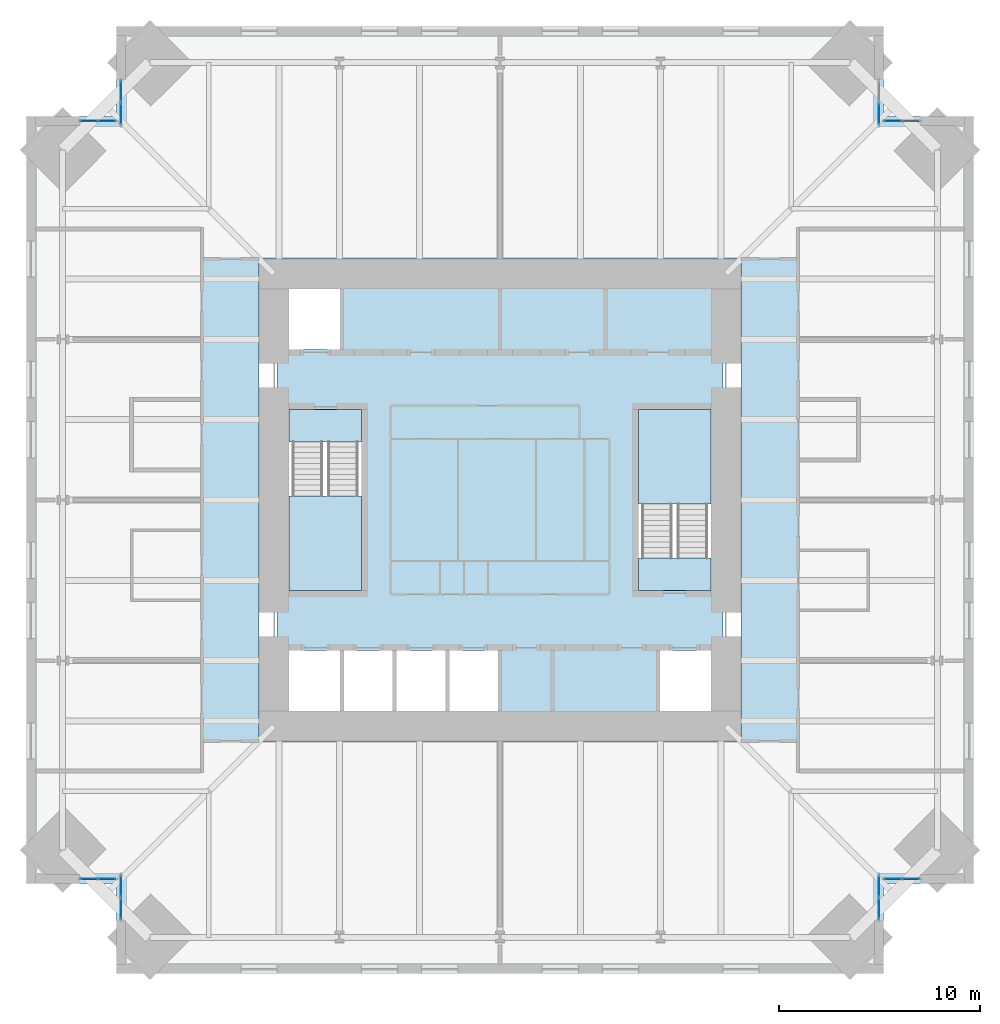
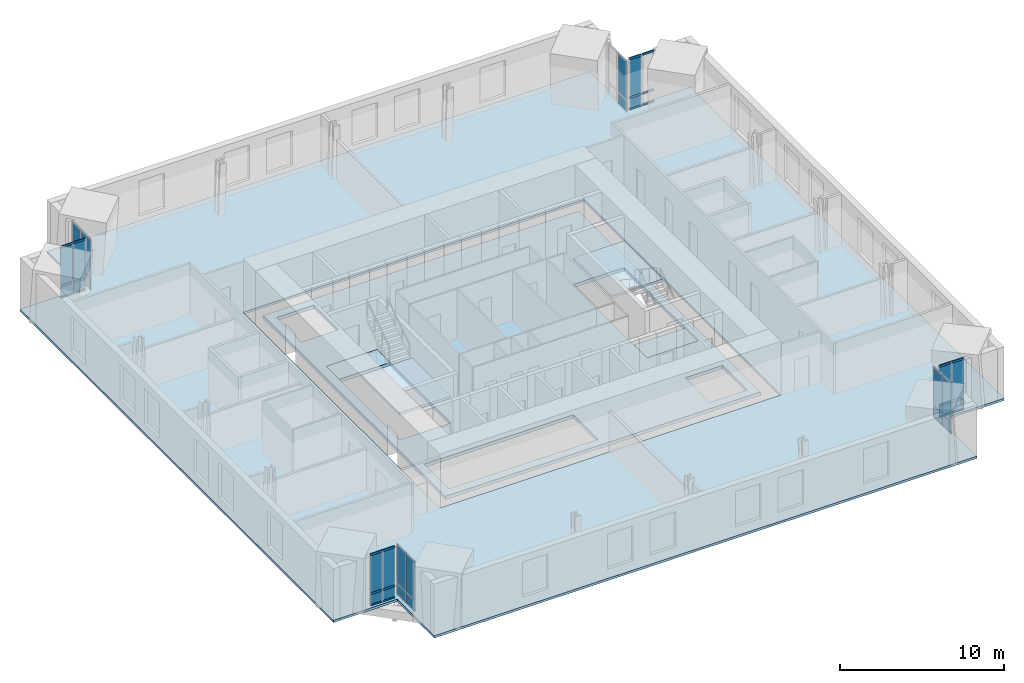
# One storey, part 9 of 15: 28 plates, 24 members, 6 slabs, 10 elements without a shape of their own.
"""IFC4 building model written with IfcOpenShell, lengths in metres."""

from ifc_helpers import new_model, si_unit, direction, frame, origin, origin_2d, place, context, subcontext, project, spatial, polyline, rectangle, hollow_rectangle, outline, extrude, material, layer, layer_set, material_profile, profile_set, type_object, element, aggregate, save


model = new_model("IFC4")

# Units and contexts
model_context = context("Model", 3, precision=1e-05, world=origin(), true_north=direction((0.0, 1.0)))
body_context = subcontext(model_context, "Body", "Model", "MODEL_VIEW")
ifc_project = project(units=[si_unit("LENGTHUNIT", "METRE"), si_unit("AREAUNIT", "SQUARE_METRE"), si_unit("VOLUMEUNIT", "CUBIC_METRE"), si_unit("PLANEANGLEUNIT", "RADIAN"), si_unit("MASSUNIT", "GRAM", prefix="KILO")], contexts=[model_context])

# Site, building, storey
site_placement = place(None, origin())
site = spatial("IfcSite", under=ifc_project, at=site_placement, CompositionType="ELEMENT")
building_placement = place(site_placement, origin())
building = spatial("IfcBuilding", under=site, at=building_placement, Name="Peilmerk Tower", CompositionType="ELEMENT")
storey_placement = place(building_placement, frame((0.0, 0.0, 225.800048828125)))
storey = spatial("IfcBuildingStorey", under=building, at=storey_placement, Name="L49", CompositionType="ELEMENT", Elevation=225.800048828125)

# Curtain wall, members
ifc_material_1 = material(Name="Aluminium stick curtain wall", Category="aluminium")
curtain_wall_type = type_object("IfcCurtainWallType", Name="CW4 stick curtain wall, 2250 module", PredefinedType="NOTDEFINED", material=ifc_material_1)
curtain_wall_1_placement = place(storey_placement, origin())
curtain_wall_1 = element("IfcCurtainWall", 1, at=curtain_wall_1_placement, inside=storey, type_object=curtain_wall_type, Name="Curtain wall CW4 NEB L49", PredefinedType="NOTDEFINED")
ifc_material_2 = material(Name="Aluminium EN AW-6063 T6", Category="aluminium")
ifc_material_profile = material_profile(ifc_material_2, hollow_rectangle(XDim=0.06494140625, YDim=0.14990234375, WallThickness=0.0029296875, at=origin_2d()), Name="AL 150x65x3")
ifc_profile_set = profile_set([ifc_material_profile], Name="Aluminium EN AW-6063 T6")
member_type = type_object("IfcMemberType", Name="CW4-T AL 150x65x3 transom", PredefinedType="USERDEFINED", material=ifc_profile_set)
member_1_placement = place(storey_placement, frame((19.1650390625, 18.875, 0.032470703125), z_axis=(1.0, 0.0, 0.0), x_axis=(0.0, 1.0, 0.0)))
member_1 = element("IfcMember", 2, at=member_1_placement, type_object=member_type, Name="CW4 transom 1.1", ObjectType="TRANSOM", PredefinedType="USERDEFINED", context=body_context, shape_type="SweptSolid", body=[
    extrude(hollow_rectangle(XDim=0.06494140625, YDim=0.14990234375, WallThickness=0.0029296875, at=origin_2d()), origin(), (0.0, 0.0, 1.0), 0.82177734375),
])
member_2_placement = place(storey_placement, frame((19.1650390625, 18.875, 0.89990234375), z_axis=(1.0, 0.0, 0.0), x_axis=(0.0, 1.0, 0.0)))
member_2 = element("IfcMember", 3, at=member_2_placement, type_object=member_type, Name="CW4 transom 1.2", ObjectType="TRANSOM", PredefinedType="USERDEFINED", context=body_context, shape_type="SweptSolid", body=[
    extrude(hollow_rectangle(XDim=0.06494140625, YDim=0.14990234375, WallThickness=0.0029296875, at=origin_2d()), origin(), (0.0, 0.0, 1.0), 0.82177734375),
])
member_3_placement = place(storey_placement, frame((19.1650390625, 18.875, 3.79736328125), z_axis=(1.0, 0.0, 0.0), x_axis=(0.0, 1.0, 0.0)))
member_3 = element("IfcMember", 4, at=member_3_placement, type_object=member_type, Name="CW4 transom 1.3", ObjectType="TRANSOM", PredefinedType="USERDEFINED", context=body_context, shape_type="SweptSolid", body=[
    extrude(hollow_rectangle(XDim=0.06494140625, YDim=0.14990234375, WallThickness=0.0029296875, at=origin_2d()), origin(), (0.0, 0.0, 1.0), 0.82177734375),
])
member_4_placement = place(storey_placement, frame((20.0517578125, 18.875, 0.032470703125), z_axis=(1.0, 0.0, 0.0), x_axis=(0.0, 1.0, 0.0)))
member_4 = element("IfcMember", 5, at=member_4_placement, type_object=member_type, Name="CW4 transom 2.1", ObjectType="TRANSOM", PredefinedType="USERDEFINED", context=body_context, shape_type="SweptSolid", body=[
    extrude(hollow_rectangle(XDim=0.06494140625, YDim=0.14990234375, WallThickness=0.0029296875, at=origin_2d()), origin(), (0.0, 0.0, 1.0), 0.822021484375),
])
member_5_placement = place(storey_placement, frame((20.0517578125, 18.875, 0.89990234375), z_axis=(1.0, 0.0, 0.0), x_axis=(0.0, 1.0, 0.0)))
member_5 = element("IfcMember", 6, at=member_5_placement, type_object=member_type, Name="CW4 transom 2.2", ObjectType="TRANSOM", PredefinedType="USERDEFINED", context=body_context, shape_type="SweptSolid", body=[
    extrude(hollow_rectangle(XDim=0.06494140625, YDim=0.14990234375, WallThickness=0.0029296875, at=origin_2d()), origin(), (0.0, 0.0, 1.0), 0.822021484375),
])
member_6_placement = place(storey_placement, frame((20.0517578125, 18.875, 3.79736328125), z_axis=(1.0, 0.0, 0.0), x_axis=(0.0, 1.0, 0.0)))
member_6 = element("IfcMember", 7, at=member_6_placement, type_object=member_type, Name="CW4 transom 2.3", ObjectType="TRANSOM", PredefinedType="USERDEFINED", context=body_context, shape_type="SweptSolid", body=[
    extrude(hollow_rectangle(XDim=0.06494140625, YDim=0.14990234375, WallThickness=0.0029296875, at=origin_2d()), origin(), (0.0, 0.0, 1.0), 0.822021484375),
])

curtain_wall_2_placement = place(storey_placement, origin())
curtain_wall_2 = element("IfcCurtainWall", 8, at=curtain_wall_2_placement, inside=storey, type_object=curtain_wall_type, Name="Curtain wall CW4 SEB L49", PredefinedType="NOTDEFINED")
member_7_placement = place(storey_placement, frame((19.1650390625, -18.875, 0.032470703125), z_axis=(1.0, 0.0, 0.0), x_axis=(0.0, 1.0, 0.0)))
member_7 = element("IfcMember", 9, at=member_7_placement, type_object=member_type, Name="CW4 transom 1.1", ObjectType="TRANSOM", PredefinedType="USERDEFINED", context=body_context, shape_type="SweptSolid", body=[
    extrude(hollow_rectangle(XDim=0.06494140625, YDim=0.14990234375, WallThickness=0.0029296875, at=origin_2d()), origin(), (0.0, 0.0, 1.0), 0.82177734375),
])
member_8_placement = place(storey_placement, frame((19.1650390625, -18.875, 0.89990234375), z_axis=(1.0, 0.0, 0.0), x_axis=(0.0, 1.0, 0.0)))
member_8 = element("IfcMember", 10, at=member_8_placement, type_object=member_type, Name="CW4 transom 1.2", ObjectType="TRANSOM", PredefinedType="USERDEFINED", context=body_context, shape_type="SweptSolid", body=[
    extrude(hollow_rectangle(XDim=0.06494140625, YDim=0.14990234375, WallThickness=0.0029296875, at=origin_2d()), origin(), (0.0, 0.0, 1.0), 0.82177734375),
])
member_9_placement = place(storey_placement, frame((19.1650390625, -18.875, 3.79736328125), z_axis=(1.0, 0.0, 0.0), x_axis=(0.0, 1.0, 0.0)))
member_9 = element("IfcMember", 11, at=member_9_placement, type_object=member_type, Name="CW4 transom 1.3", ObjectType="TRANSOM", PredefinedType="USERDEFINED", context=body_context, shape_type="SweptSolid", body=[
    extrude(hollow_rectangle(XDim=0.06494140625, YDim=0.14990234375, WallThickness=0.0029296875, at=origin_2d()), origin(), (0.0, 0.0, 1.0), 0.82177734375),
])
member_10_placement = place(storey_placement, frame((20.0517578125, -18.875, 0.032470703125), z_axis=(1.0, 0.0, 0.0), x_axis=(0.0, 1.0, 0.0)))
member_10 = element("IfcMember", 12, at=member_10_placement, type_object=member_type, Name="CW4 transom 2.1", ObjectType="TRANSOM", PredefinedType="USERDEFINED", context=body_context, shape_type="SweptSolid", body=[
    extrude(hollow_rectangle(XDim=0.06494140625, YDim=0.14990234375, WallThickness=0.0029296875, at=origin_2d()), origin(), (0.0, 0.0, 1.0), 0.822021484375),
])
member_11_placement = place(storey_placement, frame((20.0517578125, -18.875, 0.89990234375), z_axis=(1.0, 0.0, 0.0), x_axis=(0.0, 1.0, 0.0)))
member_11 = element("IfcMember", 13, at=member_11_placement, type_object=member_type, Name="CW4 transom 2.2", ObjectType="TRANSOM", PredefinedType="USERDEFINED", context=body_context, shape_type="SweptSolid", body=[
    extrude(hollow_rectangle(XDim=0.06494140625, YDim=0.14990234375, WallThickness=0.0029296875, at=origin_2d()), origin(), (0.0, 0.0, 1.0), 0.822021484375),
])
member_12_placement = place(storey_placement, frame((20.0517578125, -18.875, 3.79736328125), z_axis=(1.0, 0.0, 0.0), x_axis=(0.0, 1.0, 0.0)))
member_12 = element("IfcMember", 14, at=member_12_placement, type_object=member_type, Name="CW4 transom 2.3", ObjectType="TRANSOM", PredefinedType="USERDEFINED", context=body_context, shape_type="SweptSolid", body=[
    extrude(hollow_rectangle(XDim=0.06494140625, YDim=0.14990234375, WallThickness=0.0029296875, at=origin_2d()), origin(), (0.0, 0.0, 1.0), 0.822021484375),
])

curtain_wall_3_placement = place(storey_placement, origin())
curtain_wall_3 = element("IfcCurtainWall", 15, at=curtain_wall_3_placement, inside=storey, type_object=curtain_wall_type, Name="Curtain wall CW4 SWB L49", PredefinedType="NOTDEFINED")
member_13_placement = place(storey_placement, frame((-19.1650390625, -18.875, 0.032470703125), z_axis=(-1.0, 0.0, 0.0), x_axis=(0.0, -1.0, 0.0)))
member_13 = element("IfcMember", 16, at=member_13_placement, type_object=member_type, Name="CW4 transom 1.1", ObjectType="TRANSOM", PredefinedType="USERDEFINED", context=body_context, shape_type="SweptSolid", body=[
    extrude(hollow_rectangle(XDim=0.06494140625, YDim=0.14990234375, WallThickness=0.0029296875, at=origin_2d()), origin(), (0.0, 0.0, 1.0), 0.82177734375),
])
member_14_placement = place(storey_placement, frame((-19.1650390625, -18.875, 0.89990234375), z_axis=(-1.0, 0.0, 0.0), x_axis=(0.0, -1.0, 0.0)))
member_14 = element("IfcMember", 17, at=member_14_placement, type_object=member_type, Name="CW4 transom 1.2", ObjectType="TRANSOM", PredefinedType="USERDEFINED", context=body_context, shape_type="SweptSolid", body=[
    extrude(hollow_rectangle(XDim=0.06494140625, YDim=0.14990234375, WallThickness=0.0029296875, at=origin_2d()), origin(), (0.0, 0.0, 1.0), 0.82177734375),
])
member_15_placement = place(storey_placement, frame((-19.1650390625, -18.875, 3.79736328125), z_axis=(-1.0, 0.0, 0.0), x_axis=(0.0, -1.0, 0.0)))
member_15 = element("IfcMember", 18, at=member_15_placement, type_object=member_type, Name="CW4 transom 1.3", ObjectType="TRANSOM", PredefinedType="USERDEFINED", context=body_context, shape_type="SweptSolid", body=[
    extrude(hollow_rectangle(XDim=0.06494140625, YDim=0.14990234375, WallThickness=0.0029296875, at=origin_2d()), origin(), (0.0, 0.0, 1.0), 0.82177734375),
])
member_16_placement = place(storey_placement, frame((-20.0517578125, -18.875, 0.032470703125), z_axis=(-1.0, 0.0, 0.0), x_axis=(0.0, -1.0, 0.0)))
member_16 = element("IfcMember", 19, at=member_16_placement, type_object=member_type, Name="CW4 transom 2.1", ObjectType="TRANSOM", PredefinedType="USERDEFINED", context=body_context, shape_type="SweptSolid", body=[
    extrude(hollow_rectangle(XDim=0.06494140625, YDim=0.14990234375, WallThickness=0.0029296875, at=origin_2d()), origin(), (0.0, 0.0, 1.0), 0.822021484375),
])
member_17_placement = place(storey_placement, frame((-20.0517578125, -18.875, 0.89990234375), z_axis=(-1.0, 0.0, 0.0), x_axis=(0.0, -1.0, 0.0)))
member_17 = element("IfcMember", 20, at=member_17_placement, type_object=member_type, Name="CW4 transom 2.2", ObjectType="TRANSOM", PredefinedType="USERDEFINED", context=body_context, shape_type="SweptSolid", body=[
    extrude(hollow_rectangle(XDim=0.06494140625, YDim=0.14990234375, WallThickness=0.0029296875, at=origin_2d()), origin(), (0.0, 0.0, 1.0), 0.822021484375),
])
member_18_placement = place(storey_placement, frame((-20.0517578125, -18.875, 3.79736328125), z_axis=(-1.0, 0.0, 0.0), x_axis=(0.0, -1.0, 0.0)))
member_18 = element("IfcMember", 21, at=member_18_placement, type_object=member_type, Name="CW4 transom 2.3", ObjectType="TRANSOM", PredefinedType="USERDEFINED", context=body_context, shape_type="SweptSolid", body=[
    extrude(hollow_rectangle(XDim=0.06494140625, YDim=0.14990234375, WallThickness=0.0029296875, at=origin_2d()), origin(), (0.0, 0.0, 1.0), 0.822021484375),
])

curtain_wall_4_placement = place(storey_placement, origin())
curtain_wall_4 = element("IfcCurtainWall", 22, at=curtain_wall_4_placement, inside=storey, type_object=curtain_wall_type, Name="Curtain wall CW4 NWB L49", PredefinedType="NOTDEFINED")
member_19_placement = place(storey_placement, frame((-19.1650390625, 18.875, 0.032470703125), z_axis=(-1.0, 0.0, 0.0), x_axis=(0.0, -1.0, 0.0)))
member_19 = element("IfcMember", 23, at=member_19_placement, type_object=member_type, Name="CW4 transom 1.1", ObjectType="TRANSOM", PredefinedType="USERDEFINED", context=body_context, shape_type="SweptSolid", body=[
    extrude(hollow_rectangle(XDim=0.06494140625, YDim=0.14990234375, WallThickness=0.0029296875, at=origin_2d()), origin(), (0.0, 0.0, 1.0), 0.82177734375),
])
member_20_placement = place(storey_placement, frame((-19.1650390625, 18.875, 0.89990234375), z_axis=(-1.0, 0.0, 0.0), x_axis=(0.0, -1.0, 0.0)))
member_20 = element("IfcMember", 24, at=member_20_placement, type_object=member_type, Name="CW4 transom 1.2", ObjectType="TRANSOM", PredefinedType="USERDEFINED", context=body_context, shape_type="SweptSolid", body=[
    extrude(hollow_rectangle(XDim=0.06494140625, YDim=0.14990234375, WallThickness=0.0029296875, at=origin_2d()), origin(), (0.0, 0.0, 1.0), 0.82177734375),
])
member_21_placement = place(storey_placement, frame((-19.1650390625, 18.875, 3.79736328125), z_axis=(-1.0, 0.0, 0.0), x_axis=(0.0, -1.0, 0.0)))
member_21 = element("IfcMember", 25, at=member_21_placement, type_object=member_type, Name="CW4 transom 1.3", ObjectType="TRANSOM", PredefinedType="USERDEFINED", context=body_context, shape_type="SweptSolid", body=[
    extrude(hollow_rectangle(XDim=0.06494140625, YDim=0.14990234375, WallThickness=0.0029296875, at=origin_2d()), origin(), (0.0, 0.0, 1.0), 0.82177734375),
])
member_22_placement = place(storey_placement, frame((-20.0517578125, 18.875, 0.032470703125), z_axis=(-1.0, 0.0, 0.0), x_axis=(0.0, -1.0, 0.0)))
member_22 = element("IfcMember", 26, at=member_22_placement, type_object=member_type, Name="CW4 transom 2.1", ObjectType="TRANSOM", PredefinedType="USERDEFINED", context=body_context, shape_type="SweptSolid", body=[
    extrude(hollow_rectangle(XDim=0.06494140625, YDim=0.14990234375, WallThickness=0.0029296875, at=origin_2d()), origin(), (0.0, 0.0, 1.0), 0.822021484375),
])
member_23_placement = place(storey_placement, frame((-20.0517578125, 18.875, 0.89990234375), z_axis=(-1.0, 0.0, 0.0), x_axis=(0.0, -1.0, 0.0)))
member_23 = element("IfcMember", 27, at=member_23_placement, type_object=member_type, Name="CW4 transom 2.2", ObjectType="TRANSOM", PredefinedType="USERDEFINED", context=body_context, shape_type="SweptSolid", body=[
    extrude(hollow_rectangle(XDim=0.06494140625, YDim=0.14990234375, WallThickness=0.0029296875, at=origin_2d()), origin(), (0.0, 0.0, 1.0), 0.822021484375),
])
member_24_placement = place(storey_placement, frame((-20.0517578125, 18.875, 3.79736328125), z_axis=(-1.0, 0.0, 0.0), x_axis=(0.0, -1.0, 0.0)))
member_24 = element("IfcMember", 28, at=member_24_placement, type_object=member_type, Name="CW4 transom 2.3", ObjectType="TRANSOM", PredefinedType="USERDEFINED", context=body_context, shape_type="SweptSolid", body=[
    extrude(hollow_rectangle(XDim=0.06494140625, YDim=0.14990234375, WallThickness=0.0029296875, at=origin_2d()), origin(), (0.0, 0.0, 1.0), 0.822021484375),
])

# Slab
ifc_material_3 = material(Name="Concrete C55/67", Category="concrete")
ifc_layer_1 = layer(ifc_material_3, 0.25)
ifc_layer_set_1 = layer_set([ifc_layer_1], Name="Concrete C55/67")
slab_type_1 = type_object("IfcSlabType", Name="CS250 250 core floor slab", PredefinedType="FLOOR", material=ifc_layer_set_1)
slab_1_placement = place(storey_placement, frame((0.0, 0.0, -0.25)))
element("IfcSlab", 29, at=slab_1_placement, inside=storey, type_object=slab_type_1, Name="Core slab L49", PredefinedType="FLOOR", context=body_context, shape_type="SweptSolid", body=[
    extrude(outline(polyline([(11.10009765625, -11.10009765625), (11.10009765625, 11.10009765625), (-11.10009765625, 11.10009765625), (-11.10009765625, -11.10009765625), (11.10009765625, -11.10009765625)]), holes=[polyline([(-7.875, 7.5), (-10.5, 7.5), (-10.5, 10.5), (-7.875, 10.5), (-7.875, 7.5)]), polyline([(0.0, -10.5), (-10.5, -10.5), (-10.5, -7.5), (0.0, -7.5), (0.0, -10.5)]), polyline([(7.875, -10.5), (7.875, -7.5), (10.5, -7.5), (10.5, -10.5), (7.875, -10.5)]), polyline([(-10.5, 4.5), (-6.89990234375, 4.5), (-6.89990234375, -4.5), (-10.5, -4.5), (-10.5, 4.5)]), polyline([(10.5, 4.5), (10.5, -4.5), (6.89990234375, -4.5), (6.89990234375, 4.5), (10.5, 4.5)])]), origin(), (0.0, 0.0, 1.0), 0.25),
])

# Curtain wall, plates
curtain_wall_5_placement = place(storey_placement, origin())
curtain_wall_5 = element("IfcCurtainWall", 30, at=curtain_wall_5_placement, inside=storey, type_object=curtain_wall_type, Name="Curtain wall CW4 NEA L49", PredefinedType="NOTDEFINED")
ifc_material_4 = material(Name="Clear insulated glazing unit", Category="glass")
ifc_layer_2 = layer(ifc_material_4, 0.028076171875)
ifc_layer_set_2 = layer_set([ifc_layer_2], Name="Clear insulated glazing unit")
plate_type = type_object("IfcPlateType", Name="CW4-P 28 glazed panel", PredefinedType="CURTAIN_PANEL", material=ifc_layer_set_2)
plate_1_placement = place(storey_placement, frame((18.875, 19.238525390625, 0.06494140625), z_axis=(0.0, 0.0, 1.0), x_axis=(0.0, 1.0, 0.0)))
plate_1 = element("IfcPlate", 31, at=plate_1_placement, type_object=plate_type, Name="CW4 panel 1.1", PredefinedType="CURTAIN_PANEL", context=body_context, shape_type="SweptSolid", body=[
    extrude(rectangle(XDim=1.046875, YDim=0.028076171875, at=origin_2d()), origin(), (0.0, 0.0, 1.0), 0.802490234375),
])
plate_2_placement = place(storey_placement, frame((18.875, 19.238525390625, 0.932373046875), z_axis=(0.0, 0.0, 1.0), x_axis=(0.0, 1.0, 0.0)))
plate_2 = element("IfcPlate", 32, at=plate_2_placement, type_object=plate_type, Name="CW4 panel 1.2", PredefinedType="CURTAIN_PANEL", context=body_context, shape_type="SweptSolid", body=[
    extrude(rectangle(XDim=1.046875, YDim=0.028076171875, at=origin_2d()), origin(), (0.0, 0.0, 1.0), 2.83251953125),
])
aggregate(curtain_wall_5, [plate_1, plate_2])

# Plate
plate_3_placement = place(storey_placement, frame((19.575927734375, 18.875, 0.06494140625), z_axis=(0.0, 0.0, 1.0), x_axis=(1.0, 0.0, 0.0)))
plate_3 = element("IfcPlate", 33, at=plate_3_placement, type_object=plate_type, Name="CW4 panel 1.1", PredefinedType="CURTAIN_PANEL", context=body_context, shape_type="SweptSolid", body=[
    extrude(rectangle(XDim=0.82177734375, YDim=0.028076171875, at=origin_2d()), origin(), (0.0, 0.0, 1.0), 0.802490234375),
])

plate_4_placement = place(storey_placement, frame((19.575927734375, 18.875, 0.932373046875), z_axis=(0.0, 0.0, 1.0), x_axis=(1.0, 0.0, 0.0)))
plate_4 = element("IfcPlate", 34, at=plate_4_placement, type_object=plate_type, Name="CW4 panel 1.2", PredefinedType="CURTAIN_PANEL", context=body_context, shape_type="SweptSolid", body=[
    extrude(rectangle(XDim=0.82177734375, YDim=0.028076171875, at=origin_2d()), origin(), (0.0, 0.0, 1.0), 2.83251953125),
])

aggregate(curtain_wall_1, [member_1, member_2, member_3, plate_3, plate_4, member_4, member_5, member_6])

# Curtain wall, plates
curtain_wall_6_placement = place(storey_placement, origin())
curtain_wall_6 = element("IfcCurtainWall", 35, at=curtain_wall_6_placement, inside=storey, type_object=curtain_wall_type, Name="Curtain wall CW4 SEA L49", PredefinedType="NOTDEFINED")
plate_5_placement = place(storey_placement, frame((18.875, -19.238525390625, 0.06494140625), z_axis=(0.0, 0.0, 1.0), x_axis=(0.0, -1.0, 0.0)))
plate_5 = element("IfcPlate", 36, at=plate_5_placement, type_object=plate_type, Name="CW4 panel 1.1", PredefinedType="CURTAIN_PANEL", context=body_context, shape_type="SweptSolid", body=[
    extrude(rectangle(XDim=1.046875, YDim=0.028076171875, at=origin_2d()), origin(), (0.0, 0.0, 1.0), 0.802490234375),
])
plate_6_placement = place(storey_placement, frame((18.875, -19.238525390625, 0.932373046875), z_axis=(0.0, 0.0, 1.0), x_axis=(0.0, -1.0, 0.0)))
plate_6 = element("IfcPlate", 37, at=plate_6_placement, type_object=plate_type, Name="CW4 panel 1.2", PredefinedType="CURTAIN_PANEL", context=body_context, shape_type="SweptSolid", body=[
    extrude(rectangle(XDim=1.046875, YDim=0.028076171875, at=origin_2d()), origin(), (0.0, 0.0, 1.0), 2.83251953125),
])
plate_7_placement = place(storey_placement, frame((18.875, -20.350341796875, 0.06494140625), z_axis=(0.0, 0.0, 1.0), x_axis=(0.0, -1.0, 0.0)))
plate_7 = element("IfcPlate", 38, at=plate_7_placement, type_object=plate_type, Name="CW4 panel 2.1", PredefinedType="CURTAIN_PANEL", context=body_context, shape_type="SweptSolid", body=[
    extrude(rectangle(XDim=1.046875, YDim=0.028076171875, at=origin_2d()), origin(), (0.0, 0.0, 1.0), 0.802490234375),
])
plate_8_placement = place(storey_placement, frame((18.875, -20.350341796875, 0.932373046875), z_axis=(0.0, 0.0, 1.0), x_axis=(0.0, -1.0, 0.0)))
plate_8 = element("IfcPlate", 39, at=plate_8_placement, type_object=plate_type, Name="CW4 panel 2.2", PredefinedType="CURTAIN_PANEL", context=body_context, shape_type="SweptSolid", body=[
    extrude(rectangle(XDim=1.046875, YDim=0.028076171875, at=origin_2d()), origin(), (0.0, 0.0, 1.0), 2.83251953125),
])
aggregate(curtain_wall_6, [plate_5, plate_6, plate_7, plate_8])

# Plate
plate_9_placement = place(storey_placement, frame((19.575927734375, -18.875, 0.06494140625), z_axis=(0.0, 0.0, 1.0), x_axis=(1.0, 0.0, 0.0)))
plate_9 = element("IfcPlate", 40, at=plate_9_placement, type_object=plate_type, Name="CW4 panel 1.1", PredefinedType="CURTAIN_PANEL", context=body_context, shape_type="SweptSolid", body=[
    extrude(rectangle(XDim=0.82177734375, YDim=0.028076171875, at=origin_2d()), origin(), (0.0, 0.0, 1.0), 0.802490234375),
])

plate_10_placement = place(storey_placement, frame((19.575927734375, -18.875, 0.932373046875), z_axis=(0.0, 0.0, 1.0), x_axis=(1.0, 0.0, 0.0)))
plate_10 = element("IfcPlate", 41, at=plate_10_placement, type_object=plate_type, Name="CW4 panel 1.2", PredefinedType="CURTAIN_PANEL", context=body_context, shape_type="SweptSolid", body=[
    extrude(rectangle(XDim=0.82177734375, YDim=0.028076171875, at=origin_2d()), origin(), (0.0, 0.0, 1.0), 2.83251953125),
])

plate_11_placement = place(storey_placement, frame((20.462646484375, -18.875, 0.06494140625), z_axis=(0.0, 0.0, 1.0), x_axis=(1.0, 0.0, 0.0)))
plate_11 = element("IfcPlate", 42, at=plate_11_placement, type_object=plate_type, Name="CW4 panel 2.1", PredefinedType="CURTAIN_PANEL", context=body_context, shape_type="SweptSolid", body=[
    extrude(rectangle(XDim=0.82177734375, YDim=0.028076171875, at=origin_2d()), origin(), (0.0, 0.0, 1.0), 0.802490234375),
])

plate_12_placement = place(storey_placement, frame((20.462646484375, -18.875, 0.932373046875), z_axis=(0.0, 0.0, 1.0), x_axis=(1.0, 0.0, 0.0)))
plate_12 = element("IfcPlate", 43, at=plate_12_placement, type_object=plate_type, Name="CW4 panel 2.2", PredefinedType="CURTAIN_PANEL", context=body_context, shape_type="SweptSolid", body=[
    extrude(rectangle(XDim=0.82177734375, YDim=0.028076171875, at=origin_2d()), origin(), (0.0, 0.0, 1.0), 2.83251953125),
])

aggregate(curtain_wall_2, [member_7, member_8, member_9, plate_9, plate_10, member_10, member_11, member_12, plate_11, plate_12])

# Curtain wall, plates
curtain_wall_7_placement = place(storey_placement, origin())
curtain_wall_7 = element("IfcCurtainWall", 44, at=curtain_wall_7_placement, inside=storey, type_object=curtain_wall_type, Name="Curtain wall CW4 SWA L49", PredefinedType="NOTDEFINED")
plate_13_placement = place(storey_placement, frame((-18.875, -19.238525390625, 0.06494140625), z_axis=(0.0, 0.0, 1.0), x_axis=(0.0, -1.0, 0.0)))
plate_13 = element("IfcPlate", 45, at=plate_13_placement, type_object=plate_type, Name="CW4 panel 1.1", PredefinedType="CURTAIN_PANEL", context=body_context, shape_type="SweptSolid", body=[
    extrude(rectangle(XDim=1.046875, YDim=0.028076171875, at=origin_2d()), origin(), (0.0, 0.0, 1.0), 0.802490234375),
])
plate_14_placement = place(storey_placement, frame((-18.875, -19.238525390625, 0.932373046875), z_axis=(0.0, 0.0, 1.0), x_axis=(0.0, -1.0, 0.0)))
plate_14 = element("IfcPlate", 46, at=plate_14_placement, type_object=plate_type, Name="CW4 panel 1.2", PredefinedType="CURTAIN_PANEL", context=body_context, shape_type="SweptSolid", body=[
    extrude(rectangle(XDim=1.046875, YDim=0.028076171875, at=origin_2d()), origin(), (0.0, 0.0, 1.0), 2.83251953125),
])
plate_15_placement = place(storey_placement, frame((-18.875, -20.350341796875, 0.06494140625), z_axis=(0.0, 0.0, 1.0), x_axis=(0.0, -1.0, 0.0)))
plate_15 = element("IfcPlate", 47, at=plate_15_placement, type_object=plate_type, Name="CW4 panel 2.1", PredefinedType="CURTAIN_PANEL", context=body_context, shape_type="SweptSolid", body=[
    extrude(rectangle(XDim=1.046875, YDim=0.028076171875, at=origin_2d()), origin(), (0.0, 0.0, 1.0), 0.802490234375),
])
plate_16_placement = place(storey_placement, frame((-18.875, -20.350341796875, 0.932373046875), z_axis=(0.0, 0.0, 1.0), x_axis=(0.0, -1.0, 0.0)))
plate_16 = element("IfcPlate", 48, at=plate_16_placement, type_object=plate_type, Name="CW4 panel 2.2", PredefinedType="CURTAIN_PANEL", context=body_context, shape_type="SweptSolid", body=[
    extrude(rectangle(XDim=1.046875, YDim=0.028076171875, at=origin_2d()), origin(), (0.0, 0.0, 1.0), 2.83251953125),
])
aggregate(curtain_wall_7, [plate_13, plate_14, plate_15, plate_16])

# Plate
plate_17_placement = place(storey_placement, frame((-19.575927734375, -18.875, 0.06494140625), z_axis=(0.0, 0.0, 1.0), x_axis=(-1.0, 0.0, 0.0)))
plate_17 = element("IfcPlate", 49, at=plate_17_placement, type_object=plate_type, Name="CW4 panel 1.1", PredefinedType="CURTAIN_PANEL", context=body_context, shape_type="SweptSolid", body=[
    extrude(rectangle(XDim=0.82177734375, YDim=0.028076171875, at=origin_2d()), origin(), (0.0, 0.0, 1.0), 0.802490234375),
])

plate_18_placement = place(storey_placement, frame((-19.575927734375, -18.875, 0.932373046875), z_axis=(0.0, 0.0, 1.0), x_axis=(-1.0, 0.0, 0.0)))
plate_18 = element("IfcPlate", 50, at=plate_18_placement, type_object=plate_type, Name="CW4 panel 1.2", PredefinedType="CURTAIN_PANEL", context=body_context, shape_type="SweptSolid", body=[
    extrude(rectangle(XDim=0.82177734375, YDim=0.028076171875, at=origin_2d()), origin(), (0.0, 0.0, 1.0), 2.83251953125),
])

plate_19_placement = place(storey_placement, frame((-20.462646484375, -18.875, 0.06494140625), z_axis=(0.0, 0.0, 1.0), x_axis=(-1.0, 0.0, 0.0)))
plate_19 = element("IfcPlate", 51, at=plate_19_placement, type_object=plate_type, Name="CW4 panel 2.1", PredefinedType="CURTAIN_PANEL", context=body_context, shape_type="SweptSolid", body=[
    extrude(rectangle(XDim=0.82177734375, YDim=0.028076171875, at=origin_2d()), origin(), (0.0, 0.0, 1.0), 0.802490234375),
])

plate_20_placement = place(storey_placement, frame((-20.462646484375, -18.875, 0.932373046875), z_axis=(0.0, 0.0, 1.0), x_axis=(-1.0, 0.0, 0.0)))
plate_20 = element("IfcPlate", 52, at=plate_20_placement, type_object=plate_type, Name="CW4 panel 2.2", PredefinedType="CURTAIN_PANEL", context=body_context, shape_type="SweptSolid", body=[
    extrude(rectangle(XDim=0.82177734375, YDim=0.028076171875, at=origin_2d()), origin(), (0.0, 0.0, 1.0), 2.83251953125),
])

aggregate(curtain_wall_3, [member_13, member_14, member_15, plate_17, plate_18, member_16, member_17, member_18, plate_19, plate_20])

# Curtain wall, plates
curtain_wall_8_placement = place(storey_placement, origin())
curtain_wall_8 = element("IfcCurtainWall", 53, at=curtain_wall_8_placement, inside=storey, type_object=curtain_wall_type, Name="Curtain wall CW4 NWA L49", PredefinedType="NOTDEFINED")
plate_21_placement = place(storey_placement, frame((-18.875, 19.238525390625, 0.06494140625), z_axis=(0.0, 0.0, 1.0), x_axis=(0.0, 1.0, 0.0)))
plate_21 = element("IfcPlate", 54, at=plate_21_placement, type_object=plate_type, Name="CW4 panel 1.1", PredefinedType="CURTAIN_PANEL", context=body_context, shape_type="SweptSolid", body=[
    extrude(rectangle(XDim=1.046875, YDim=0.028076171875, at=origin_2d()), origin(), (0.0, 0.0, 1.0), 0.802490234375),
])
plate_22_placement = place(storey_placement, frame((-18.875, 19.238525390625, 0.932373046875), z_axis=(0.0, 0.0, 1.0), x_axis=(0.0, 1.0, 0.0)))
plate_22 = element("IfcPlate", 55, at=plate_22_placement, type_object=plate_type, Name="CW4 panel 1.2", PredefinedType="CURTAIN_PANEL", context=body_context, shape_type="SweptSolid", body=[
    extrude(rectangle(XDim=1.046875, YDim=0.028076171875, at=origin_2d()), origin(), (0.0, 0.0, 1.0), 2.83251953125),
])
plate_23_placement = place(storey_placement, frame((-18.875, 20.350341796875, 0.06494140625), z_axis=(0.0, 0.0, 1.0), x_axis=(0.0, 1.0, 0.0)))
plate_23 = element("IfcPlate", 56, at=plate_23_placement, type_object=plate_type, Name="CW4 panel 2.1", PredefinedType="CURTAIN_PANEL", context=body_context, shape_type="SweptSolid", body=[
    extrude(rectangle(XDim=1.046875, YDim=0.028076171875, at=origin_2d()), origin(), (0.0, 0.0, 1.0), 0.802490234375),
])
plate_24_placement = place(storey_placement, frame((-18.875, 20.350341796875, 0.932373046875), z_axis=(0.0, 0.0, 1.0), x_axis=(0.0, 1.0, 0.0)))
plate_24 = element("IfcPlate", 57, at=plate_24_placement, type_object=plate_type, Name="CW4 panel 2.2", PredefinedType="CURTAIN_PANEL", context=body_context, shape_type="SweptSolid", body=[
    extrude(rectangle(XDim=1.046875, YDim=0.028076171875, at=origin_2d()), origin(), (0.0, 0.0, 1.0), 2.83251953125),
])
aggregate(curtain_wall_8, [plate_21, plate_22, plate_23, plate_24])

# Plate
plate_25_placement = place(storey_placement, frame((-19.575927734375, 18.875, 0.06494140625), z_axis=(0.0, 0.0, 1.0), x_axis=(-1.0, 0.0, 0.0)))
plate_25 = element("IfcPlate", 58, at=plate_25_placement, type_object=plate_type, Name="CW4 panel 1.1", PredefinedType="CURTAIN_PANEL", context=body_context, shape_type="SweptSolid", body=[
    extrude(rectangle(XDim=0.82177734375, YDim=0.028076171875, at=origin_2d()), origin(), (0.0, 0.0, 1.0), 0.802490234375),
])

plate_26_placement = place(storey_placement, frame((-19.575927734375, 18.875, 0.932373046875), z_axis=(0.0, 0.0, 1.0), x_axis=(-1.0, 0.0, 0.0)))
plate_26 = element("IfcPlate", 59, at=plate_26_placement, type_object=plate_type, Name="CW4 panel 1.2", PredefinedType="CURTAIN_PANEL", context=body_context, shape_type="SweptSolid", body=[
    extrude(rectangle(XDim=0.82177734375, YDim=0.028076171875, at=origin_2d()), origin(), (0.0, 0.0, 1.0), 2.83251953125),
])

plate_27_placement = place(storey_placement, frame((-20.462646484375, 18.875, 0.06494140625), z_axis=(0.0, 0.0, 1.0), x_axis=(-1.0, 0.0, 0.0)))
plate_27 = element("IfcPlate", 60, at=plate_27_placement, type_object=plate_type, Name="CW4 panel 2.1", PredefinedType="CURTAIN_PANEL", context=body_context, shape_type="SweptSolid", body=[
    extrude(rectangle(XDim=0.82177734375, YDim=0.028076171875, at=origin_2d()), origin(), (0.0, 0.0, 1.0), 0.802490234375),
])

plate_28_placement = place(storey_placement, frame((-20.462646484375, 18.875, 0.932373046875), z_axis=(0.0, 0.0, 1.0), x_axis=(-1.0, 0.0, 0.0)))
plate_28 = element("IfcPlate", 61, at=plate_28_placement, type_object=plate_type, Name="CW4 panel 2.2", PredefinedType="CURTAIN_PANEL", context=body_context, shape_type="SweptSolid", body=[
    extrude(rectangle(XDim=0.82177734375, YDim=0.028076171875, at=origin_2d()), origin(), (0.0, 0.0, 1.0), 2.83251953125),
])

aggregate(curtain_wall_4, [member_19, member_20, member_21, plate_25, plate_26, member_22, member_23, member_24, plate_27, plate_28])

# Slab
ifc_material_5 = material(Name="Concrete C35/45", Category="concrete")
ifc_layer_3 = layer(ifc_material_5, 0.169921875)
ifc_layer_set_3 = layer_set([ifc_layer_3], Name="Concrete C35/45")
slab_type_2 = type_object("IfcSlabType", Name="FS170 170 composite floor slab", PredefinedType="FLOOR", material=ifc_layer_set_3)
slab_2_placement = place(storey_placement, frame((0.0, 0.0, -0.170166015625)))
element("IfcSlab", 62, at=slab_2_placement, inside=storey, type_object=slab_type_2, Name="Floor slab L49", PredefinedType="FLOOR", context=body_context, shape_type="SweptSolid", body=[
    extrude(outline(polyline([(-19.10009765625, -23.60009765625), (19.10009765625, -23.60009765625), (19.10009765625, -19.10009765625), (23.60009765625, -19.10009765625), (23.60009765625, 19.10009765625), (19.10009765625, 19.10009765625), (19.10009765625, 23.60009765625), (-19.10009765625, 23.60009765625), (-19.10009765625, 19.10009765625), (-23.60009765625, 19.10009765625), (-23.60009765625, -19.10009765625), (-19.10009765625, -19.10009765625), (-19.10009765625, -23.60009765625)]), holes=[polyline([(12.0, 12.0), (12.0, -12.0), (-12.0, -12.0), (-12.0, 12.0), (12.0, 12.0)])]), origin(), (0.0, 0.0, 1.0), 0.170166015625),
])

# Stair, slab
ifc_material_6 = material(Name="Precast concrete C45/55", Category="concrete")
stair_type_1 = type_object("IfcStairType", Name="ST1 22 risers of 181.8", PredefinedType="HALF_TURN_STAIR", material=ifc_material_6)
stair_1_placement = place(storey_placement, origin())
stair_1 = element("IfcStair", 63, at=stair_1_placement, inside=storey, type_object=stair_type_1, Name="Stair 1 L49 to L50", PredefinedType="HALF_TURN_STAIR")
ifc_layer_4 = layer(ifc_material_5, 0.199951171875)
ifc_layer_set_4 = layer_set([ifc_layer_4], Name="Concrete C35/45")
slab_type_3 = type_object("IfcSlabType", Name="SL1 200 concrete stair landing", PredefinedType="LANDING", material=ifc_layer_set_4)
slab_3_placement = place(storey_placement, frame((0.0, 0.0, 1.800048828125)))
slab_3 = element("IfcSlab", 64, at=slab_3_placement, type_object=slab_type_3, Name="ST1 landing 1", PredefinedType="LANDING", context=body_context, shape_type="SweptSolid", body=[
    extrude(outline(polyline([(-10.5, -4.5), (-6.89990234375, -4.5), (-6.89990234375, 0.199951171875), (-10.5, 0.199951171875), (-10.5, -4.5)])), origin(), (0.0, 0.0, 1.0), 0.199951171875),
])

stair_type_2 = type_object("IfcStairType", Name="ST2 22 risers of 181.8", PredefinedType="HALF_TURN_STAIR", material=ifc_material_6)
stair_2_placement = place(storey_placement, origin())
stair_2 = element("IfcStair", 65, at=stair_2_placement, inside=storey, type_object=stair_type_2, Name="Stair 2 L49 to L50", PredefinedType="HALF_TURN_STAIR")
slab_4_placement = place(storey_placement, frame((0.0, 0.0, 1.800048828125)))
slab_4 = element("IfcSlab", 66, at=slab_4_placement, type_object=slab_type_3, Name="ST2 landing 1", PredefinedType="LANDING", context=body_context, shape_type="SweptSolid", body=[
    extrude(outline(polyline([(6.89990234375, -0.199951171875), (10.5, -0.199951171875), (10.5, 4.5), (6.89990234375, 4.5), (6.89990234375, -0.199951171875)])), origin(), (0.0, 0.0, 1.0), 0.199951171875),
])

# Slab
ifc_layer_5 = layer(ifc_material_5, 0.25)
ifc_layer_set_5 = layer_set([ifc_layer_5], Name="Concrete C35/45")
slab_type_4 = type_object("IfcSlabType", Name="SL2 250 concrete floor landing", PredefinedType="LANDING", material=ifc_layer_set_5)
slab_5_placement = place(storey_placement, frame((0.0, 0.0, -0.25)))
slab_5 = element("IfcSlab", 67, at=slab_5_placement, type_object=slab_type_4, Name="ST1 floor landing", PredefinedType="LANDING", context=body_context, shape_type="SweptSolid", body=[
    extrude(outline(polyline([(-10.5, 2.89990234375), (-6.89990234375, 2.89990234375), (-6.89990234375, 4.5), (-10.5, 4.5), (-10.5, 2.89990234375)])), origin(), (0.0, 0.0, 1.0), 0.25),
])

aggregate(stair_1, [slab_3, slab_5])

slab_6_placement = place(storey_placement, frame((0.0, 0.0, -0.25)))
slab_6 = element("IfcSlab", 68, at=slab_6_placement, type_object=slab_type_4, Name="ST2 floor landing", PredefinedType="LANDING", context=body_context, shape_type="SweptSolid", body=[
    extrude(outline(polyline([(6.89990234375, -4.5), (10.5, -4.5), (10.5, -2.89990234375), (6.89990234375, -2.89990234375), (6.89990234375, -4.5)])), origin(), (0.0, 0.0, 1.0), 0.25),
])

aggregate(stair_2, [slab_4, slab_6])

save(model, "model.ifc")
